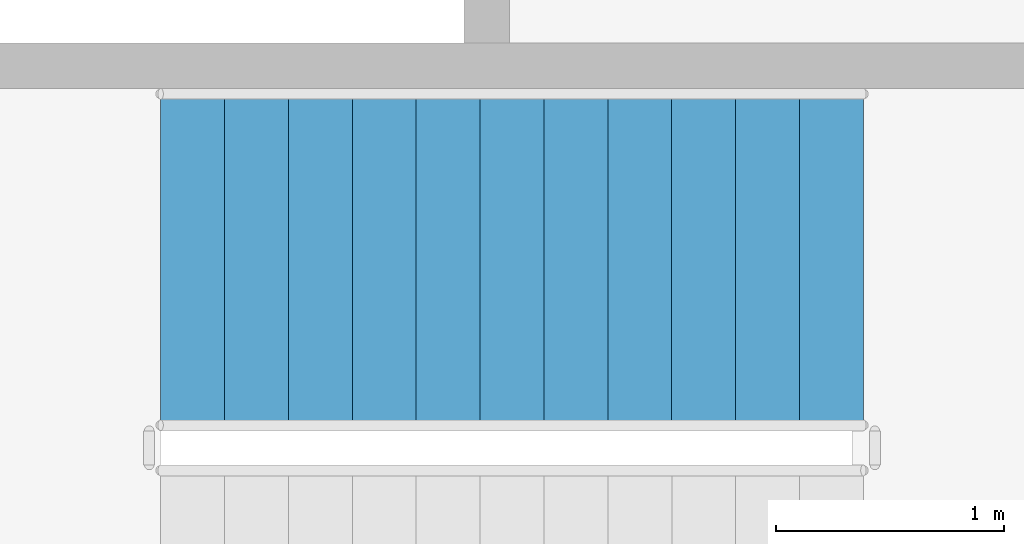
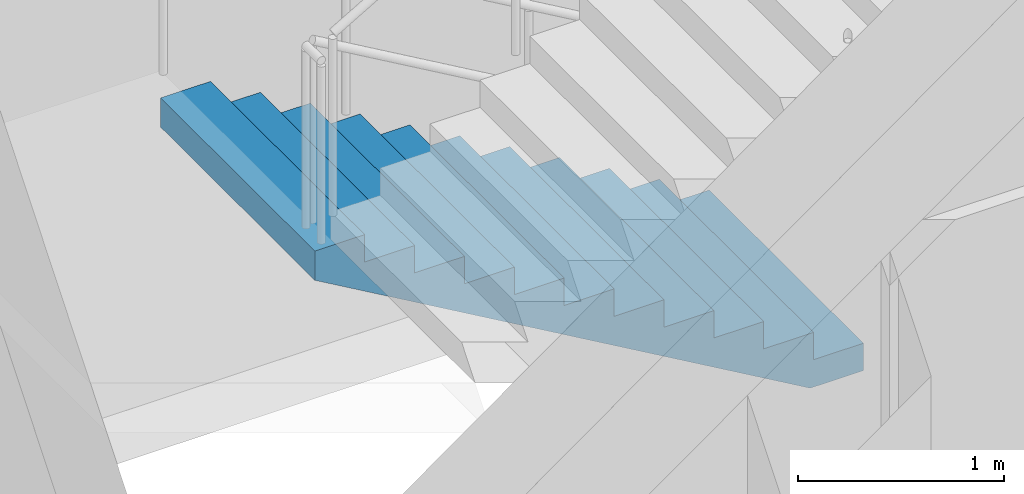
# One storey, part 36 of 42: 1 stair flight, 1 element without a shape of its own.
"""IFC4 building model written with IfcOpenShell, lengths in metres."""

from ifc_helpers import new_model, si_unit, direction, frame, origin, place, context, subcontext, project, spatial, triangles, material, type_object, element, aggregate, save


model = new_model("IFC4")

# Units and contexts
model_context = context("Model", 3, precision=1e-05, world=origin(), true_north=direction((0.0, 1.0)))
body_context = subcontext(model_context, "Body", "Model", "MODEL_VIEW")
ifc_project = project(units=[si_unit("LENGTHUNIT", "METRE"), si_unit("AREAUNIT", "SQUARE_METRE"), si_unit("VOLUMEUNIT", "CUBIC_METRE"), si_unit("PLANEANGLEUNIT", "RADIAN"), si_unit("MASSUNIT", "GRAM", prefix="KILO")], contexts=[model_context])

# Site, building, storey
site_placement = place(None, origin())
site = spatial("IfcSite", under=ifc_project, at=site_placement, CompositionType="ELEMENT")
building_placement = place(site_placement, origin())
building = spatial("IfcBuilding", under=site, at=building_placement, Name="Magnolia Steps Interchange", CompositionType="ELEMENT")
storey_placement = place(building_placement, frame((0.0, 0.0, 12.60009765625)))
storey = spatial("IfcBuildingStorey", under=building, at=storey_placement, Name="L03", CompositionType="ELEMENT", Elevation=12.60009765625)

# Stair, stair flight
ifc_material_1 = material(Name="Concrete C40", Category="concrete")
stair_type = type_object("IfcStairType", Name="Exit stair 1500", PredefinedType="HALF_TURN_STAIR", material=ifc_material_1)
stair_placement = place(storey_placement, origin())
stair = element("IfcStair", 1, at=stair_placement, inside=storey, type_object=stair_type, Name="L03 Stair 28", PredefinedType="HALF_TURN_STAIR")
ifc_material_2 = material(Name="Concrete C40", Category="concrete")
stair_flight_type = type_object("IfcStairFlightType", Name="Exit stair flight", PredefinedType="STRAIGHT", material=ifc_material_2)
stair_flight_placement = place(storey_placement, frame((69.14990234375, 99.25, 0.0), z_axis=(0.0, 0.0, 1.0), x_axis=(-1.0, 0.0, 0.0)))
stair_flight = element("IfcStairFlight", 2, at=stair_flight_placement, type_object=stair_flight_type, Name="Stair 28 flight 1", NumberOfRisers=12, NumberOfTreads=11, PredefinedType="STRAIGHT", RiserHeight=0.1625, TreadLength=0.28, context=body_context, shape_type="Tessellation", body=[
    triangles([(0.0, -0.75, 0.0), (0.298583984375, -0.75, 0.0), (3.080078125, -0.75, 1.6142578125), (3.080078125, -0.75, 1.78759765625), (2.800048828125, -0.75, 1.78759765625), (2.800048828125, -0.75, 1.625), (2.52001953125, -0.75, 1.625), (2.52001953125, -0.75, 1.46240234375), (2.239990234375, -0.75, 1.46240234375), (2.239990234375, -0.75, 1.300048828125), (1.9599609375, -0.75, 1.300048828125), (1.9599609375, -0.75, 1.137451171875), (1.679931640625, -0.75, 1.137451171875), (1.679931640625, -0.75, 0.97509765625), (1.39990234375, -0.75, 0.97509765625), (1.39990234375, -0.75, 0.8125), (1.1201171875, -0.75, 0.8125), (1.1201171875, -0.75, 0.64990234375), (0.840087890625, -0.75, 0.64990234375), (0.840087890625, -0.75, 0.487548828125), (0.56005859375, -0.75, 0.487548828125), (0.56005859375, -0.75, 0.324951171875), (0.280029296875, -0.75, 0.324951171875), (0.280029296875, -0.75, 0.16259765625), (0.0, -0.75, 0.16259765625), (0.0, 0.75, 0.0), (0.298583984375, 0.75, 0.0), (3.080078125, 0.75, 1.6142578125), (3.080078125, 0.75, 1.78759765625), (2.800048828125, 0.75, 1.78759765625), (2.800048828125, 0.75, 1.625), (2.52001953125, 0.75, 1.625), (2.52001953125, 0.75, 1.46240234375), (2.239990234375, 0.75, 1.46240234375), (2.239990234375, 0.75, 1.300048828125), (1.9599609375, 0.75, 1.300048828125), (1.9599609375, 0.75, 1.137451171875), (1.679931640625, 0.75, 1.137451171875), (1.679931640625, 0.75, 0.97509765625), (1.39990234375, 0.75, 0.97509765625), (1.39990234375, 0.75, 0.8125), (1.1201171875, 0.75, 0.8125), (1.1201171875, 0.75, 0.64990234375), (0.840087890625, 0.75, 0.64990234375), (0.840087890625, 0.75, 0.487548828125), (0.56005859375, 0.75, 0.487548828125), (0.56005859375, 0.75, 0.324951171875), (0.280029296875, 0.75, 0.324951171875), (0.280029296875, 0.75, 0.16259765625), (0.0, 0.75, 0.16259765625), (0.0, 0.0, 0.0), (0.0, 0.0, 0.0406494140625), (0.0, 0.0, 0.081298828125), (0.0, 0.0, 0.1219482421875), (0.0, 0.0, 0.16259765625), (0.0, -0.05, 0.0), (0.0, -0.05, 0.16259765625), (0.0, 0.05, 0.0), (0.0, 0.05, 0.16259765625), (0.046671549479166664, 0.0, 0.16259765625), (0.09334309895833333, 0.0, 0.16259765625), (0.1400146484375, 0.0, 0.16259765625), (0.18668619791666666, 0.0, 0.16259765625), (0.23335774739583334, 0.0, 0.16259765625), (0.280029296875, 0.0, 0.16259765625), (0.280029296875, -0.05, 0.16259765625), (0.280029296875, 0.05, 0.16259765625), (0.280029296875, 0.0, 0.20318603515625), (0.280029296875, 0.0, 0.2437744140625), (0.280029296875, 0.0, 0.28436279296875), (0.280029296875, 0.0, 0.324951171875), (0.280029296875, -0.05, 0.324951171875), (0.280029296875, 0.05, 0.324951171875), (0.3267008463541667, 0.0, 0.324951171875), (0.3733723958333333, 0.0, 0.324951171875), (0.4200439453125, 0.0, 0.324951171875), (0.46671549479166663, 0.0, 0.324951171875), (0.5133870442708334, 0.0, 0.324951171875), (0.56005859375, 0.0, 0.324951171875), (0.56005859375, -0.05, 0.324951171875), (0.56005859375, 0.05, 0.324951171875), (0.56005859375, 0.0, 0.3656005859375), (0.56005859375, 0.0, 0.40625), (0.56005859375, 0.0, 0.4468994140625), (0.56005859375, 0.0, 0.487548828125), (0.56005859375, -0.05, 0.487548828125), (0.56005859375, 0.05, 0.487548828125), (0.6067301432291666, 0.0, 0.487548828125), (0.6534016927083334, 0.0, 0.487548828125), (0.7000732421875, 0.0, 0.487548828125), (0.7467447916666666, 0.0, 0.487548828125), (0.7934163411458334, 0.0, 0.487548828125), (0.840087890625, 0.0, 0.487548828125), (0.840087890625, -0.05, 0.487548828125), (0.840087890625, 0.05, 0.487548828125), (0.840087890625, 0.0, 0.52813720703125), (0.840087890625, 0.0, 0.5687255859375), (0.840087890625, 0.0, 0.60931396484375), (0.840087890625, 0.0, 0.64990234375), (0.840087890625, -0.05, 0.64990234375), (0.840087890625, 0.05, 0.64990234375), (0.8867594401041666, 0.0, 0.64990234375), (0.9334309895833334, 0.0, 0.64990234375), (0.9801025390625, 0.0, 0.64990234375), (1.0267740885416667, 0.0, 0.64990234375), (1.0734456380208333, 0.0, 0.64990234375), (1.1201171875, 0.0, 0.64990234375), (1.1201171875, -0.05, 0.64990234375), (1.1201171875, 0.05, 0.64990234375), (1.1201171875, 0.0, 0.6905517578125), (1.1201171875, 0.0, 0.731201171875), (1.1201171875, 0.0, 0.7718505859375), (1.1201171875, 0.0, 0.8125), (1.1201171875, -0.05, 0.8125), (1.1201171875, 0.05, 0.8125), (1.1900634765625, 0.0, 0.8125), (1.260009765625, 0.0, 0.8125), (1.3299560546875, 0.0, 0.8125), (1.39990234375, 0.0, 0.8125), (1.39990234375, -0.05, 0.8125), (1.39990234375, 0.05, 0.8125), (1.39990234375, 0.0, 0.8531494140625), (1.39990234375, 0.0, 0.893798828125), (1.39990234375, 0.0, 0.9344482421875), (1.39990234375, 0.0, 0.97509765625), (1.39990234375, -0.05, 0.97509765625), (1.39990234375, 0.05, 0.97509765625), (1.4465738932291667, 0.0, 0.97509765625), (1.4932454427083333, 0.0, 0.97509765625), (1.5399169921875, 0.0, 0.97509765625), (1.5865885416666667, 0.0, 0.97509765625), (1.6332600911458333, 0.0, 0.97509765625), (1.679931640625, 0.0, 0.97509765625), (1.679931640625, -0.05, 0.97509765625), (1.679931640625, 0.05, 0.97509765625), (1.679931640625, 0.0, 1.01568603515625), (1.679931640625, 0.0, 1.0562744140625), (1.679931640625, 0.0, 1.09686279296875), (1.679931640625, 0.0, 1.137451171875), (1.679931640625, -0.05, 1.137451171875), (1.679931640625, 0.05, 1.137451171875), (1.7266031901041667, 0.0, 1.137451171875), (1.7732747395833333, 0.0, 1.137451171875), (1.8199462890625, 0.0, 1.137451171875), (1.8666178385416667, 0.0, 1.137451171875), (1.9132893880208333, 0.0, 1.137451171875), (1.9599609375, 0.0, 1.137451171875), (1.9599609375, -0.05, 1.137451171875), (1.9599609375, 0.05, 1.137451171875), (1.9599609375, 0.0, 1.1781005859375), (1.9599609375, 0.0, 1.21875), (1.9599609375, 0.0, 1.2593994140625), (1.9599609375, 0.0, 1.300048828125), (1.9599609375, -0.05, 1.300048828125), (1.9599609375, 0.05, 1.300048828125), (2.0066324869791665, 0.0, 1.300048828125), (2.0533040364583335, 0.0, 1.300048828125), (2.0999755859375, 0.0, 1.300048828125), (2.1466471354166665, 0.0, 1.300048828125), (2.1933186848958335, 0.0, 1.300048828125), (2.239990234375, 0.0, 1.300048828125), (2.239990234375, -0.05, 1.300048828125), (2.239990234375, 0.05, 1.300048828125), (2.239990234375, 0.0, 1.34063720703125), (2.239990234375, 0.0, 1.3812255859375), (2.239990234375, 0.0, 1.42181396484375), (2.239990234375, 0.0, 1.46240234375), (2.239990234375, -0.05, 1.46240234375), (2.239990234375, 0.05, 1.46240234375), (2.2866617838541665, 0.0, 1.46240234375), (2.3333333333333335, 0.0, 1.46240234375), (2.3800048828125, 0.0, 1.46240234375), (2.4266764322916665, 0.0, 1.46240234375), (2.4733479817708335, 0.0, 1.46240234375), (2.52001953125, 0.0, 1.46240234375), (2.52001953125, -0.05, 1.46240234375), (2.52001953125, 0.05, 1.46240234375), (2.52001953125, 0.0, 1.5030517578125), (2.52001953125, 0.0, 1.543701171875), (2.52001953125, 0.0, 1.5843505859375), (2.52001953125, 0.0, 1.625), (2.52001953125, -0.05, 1.625), (2.52001953125, 0.05, 1.625), (2.5666910807291665, 0.0, 1.625), (2.6133626302083335, 0.0, 1.625), (2.6600341796875, 0.0, 1.625), (2.7067057291666665, 0.0, 1.625), (2.7533772786458335, 0.0, 1.625), (2.800048828125, 0.0, 1.625), (2.800048828125, -0.05, 1.625), (2.800048828125, 0.05, 1.625), (2.800048828125, 0.0, 1.6656494140625), (2.800048828125, 0.0, 1.706298828125), (2.800048828125, 0.0, 1.7469482421875), (2.800048828125, 0.0, 1.78759765625), (2.800048828125, -0.05, 1.78759765625), (2.800048828125, 0.05, 1.78759765625), (2.8467203776041665, 0.0, 1.78759765625), (2.8933919270833335, 0.0, 1.78759765625), (2.9400634765625, 0.0, 1.78759765625), (2.9867350260416665, 0.0, 1.78759765625), (3.0334065755208335, 0.0, 1.78759765625), (3.080078125, 0.0, 1.78759765625), (3.080078125, -0.05, 1.78759765625), (3.080078125, 0.05, 1.78759765625), (3.080078125, 0.0, 1.7442626953125), (3.080078125, 0.0, 1.700927734375), (3.080078125, 0.0, 1.6575927734375), (3.080078125, 0.0, 1.6142578125), (3.080078125, -0.05, 1.6142578125), (3.080078125, 0.05, 1.6142578125), (3.0196108610733696, 0.0, 1.5791652513586956), (2.9591435971467392, 0.0, 1.5440726902173914), (2.898676333220109, 0.0, 1.508980129076087), (2.8382090692934785, 0.0, 1.4738875679347827), (2.7777418053668477, 0.0, 1.4387950067934783), (2.7172745414402173, 0.0, 1.4037024456521738), (2.656807277513587, 0.0, 1.3686098845108696), (2.5963400135869565, 0.0, 1.3335173233695652), (2.535872749660326, 0.0, 1.2984247622282608), (2.475405485733696, 0.0, 1.2633322010869565), (2.4149382218070654, 0.0, 1.228239639945652), (2.3544709578804346, 0.0, 1.193147078804348), (2.294003693953804, 0.0, 1.1580545176630435), (2.233536430027174, 0.0, 1.1229619565217392), (2.1730691661005435, 0.0, 1.0878693953804348), (2.112601902173913, 0.0, 1.0527768342391304), (2.0521346382472827, 0.0, 1.0176842730978262), (1.991667374320652, 0.0, 0.9825917119565217), (1.9312001103940217, 0.0, 0.9474991508152174), (1.8707328464673914, 0.0, 0.9124065896739131), (1.810265582540761, 0.0, 0.8773140285326086), (1.7497983186141304, 0.0, 0.8422214673913043), (1.6893310546875, 0.0, 0.80712890625), (1.6288637907608696, 0.0, 0.7720363451086957), (1.568396526834239, 0.0, 0.7369437839673914), (1.5079292629076086, 0.0, 0.7018512228260869), (1.4474619989809783, 0.0, 0.6667586616847826), (1.386994735054348, 0.0, 0.6316661005434783), (1.3265274711277173, 0.0, 0.5965735394021738), (1.266060207201087, 0.0, 0.5614809782608696), (1.2055929432744565, 0.0, 0.5263884171195652), (1.1451256793478262, 0.0, 0.491295855978261), (1.0846584154211956, 0.0, 0.45620329483695654), (1.0241911514945654, 0.0, 0.4211107336956521), (0.9637238875679346, 0.0, 0.3860181725543479), (0.9032566236413042, 0.0, 0.35092561141304346), (0.8427893597146738, 0.0, 0.315833050271739), (0.7823220957880435, 0.0, 0.2807404891304348), (0.7218548318614131, 0.0, 0.24564792798913038), (0.6613875679347827, 0.0, 0.21055536684782616), (0.6009203040081523, 0.0, 0.17546280570652173), (0.540453040081522, 0.0, 0.1403702445652173), (0.47998577615489113, 0.0, 0.10527768342391308), (0.41951851222826075, 0.0, 0.07018512228260865), (0.3590512483016304, 0.0, 0.035092561141304435), (0.298583984375, 0.0, 0.0), (0.298583984375, -0.05, 0.0), (0.298583984375, 0.05, 0.0), (0.24881998697916666, 0.0, 0.0), (0.19905598958333331, 0.0, 0.0), (0.1492919921875, 0.0, 0.0), (0.09952799479166666, 0.0, 0.0), (0.04976399739583334, 0.0, 0.0)], [[1, 2, 3], [3, 4, 5], [3, 5, 6], [3, 6, 7], [3, 7, 8], [8, 9, 10], [3, 8, 10], [10, 11, 12], [3, 10, 12], [12, 13, 14], [3, 12, 14], [14, 15, 16], [3, 14, 16], [16, 17, 18], [3, 16, 18], [18, 19, 20], [3, 18, 20], [20, 21, 22], [3, 20, 22], [1, 3, 22], [22, 23, 24], [1, 22, 24], [24, 25, 1], [26, 28, 27], [28, 30, 29], [28, 31, 30], [28, 32, 31], [28, 33, 32], [33, 35, 34], [28, 35, 33], [35, 37, 36], [28, 37, 35], [37, 39, 38], [28, 39, 37], [39, 41, 40], [28, 41, 39], [41, 43, 42], [28, 43, 41], [43, 45, 44], [28, 45, 43], [45, 47, 46], [28, 47, 45], [26, 47, 28], [47, 49, 48], [26, 49, 47], [49, 26, 50], [1, 25, 57], [1, 57, 56], [56, 52, 51], [56, 53, 52], [56, 57, 53], [57, 54, 53], [57, 55, 54], [26, 59, 50], [26, 58, 59], [58, 51, 52], [58, 52, 53], [58, 53, 59], [59, 53, 54], [59, 54, 55], [25, 24, 66], [25, 66, 57], [57, 60, 55], [57, 61, 60], [57, 62, 61], [57, 66, 62], [66, 63, 62], [66, 64, 63], [66, 65, 64], [50, 67, 49], [50, 59, 67], [59, 55, 60], [59, 60, 61], [59, 61, 62], [59, 62, 67], [67, 62, 63], [67, 63, 64], [67, 64, 65], [24, 23, 72], [24, 72, 66], [66, 68, 65], [66, 69, 68], [66, 72, 69], [72, 70, 69], [72, 71, 70], [49, 73, 48], [49, 67, 73], [67, 65, 68], [67, 68, 69], [67, 69, 73], [73, 69, 70], [73, 70, 71], [23, 22, 80], [23, 80, 72], [72, 74, 71], [72, 75, 74], [72, 76, 75], [72, 80, 76], [80, 77, 76], [80, 78, 77], [80, 79, 78], [48, 81, 47], [48, 73, 81], [73, 71, 74], [73, 74, 75], [73, 75, 76], [73, 76, 81], [81, 76, 77], [81, 77, 78], [81, 78, 79], [22, 21, 86], [22, 86, 80], [80, 82, 79], [80, 83, 82], [80, 86, 83], [86, 84, 83], [86, 85, 84], [47, 87, 46], [47, 81, 87], [81, 79, 82], [81, 82, 83], [81, 83, 87], [87, 83, 84], [87, 84, 85], [21, 20, 94], [21, 94, 86], [86, 88, 85], [86, 89, 88], [86, 90, 89], [86, 94, 90], [94, 91, 90], [94, 92, 91], [94, 93, 92], [46, 95, 45], [46, 87, 95], [87, 85, 88], [87, 88, 89], [87, 89, 90], [87, 90, 95], [95, 90, 91], [95, 91, 92], [95, 92, 93], [20, 19, 100], [20, 100, 94], [94, 96, 93], [94, 97, 96], [94, 100, 97], [100, 98, 97], [100, 99, 98], [45, 101, 44], [45, 95, 101], [95, 93, 96], [95, 96, 97], [95, 97, 101], [101, 97, 98], [101, 98, 99], [19, 18, 108], [19, 108, 100], [100, 102, 99], [100, 103, 102], [100, 104, 103], [100, 108, 104], [108, 105, 104], [108, 106, 105], [108, 107, 106], [44, 109, 43], [44, 101, 109], [101, 99, 102], [101, 102, 103], [101, 103, 104], [101, 104, 109], [109, 104, 105], [109, 105, 106], [109, 106, 107], [18, 17, 114], [18, 114, 108], [108, 110, 107], [108, 111, 110], [108, 114, 111], [114, 112, 111], [114, 113, 112], [43, 115, 42], [43, 109, 115], [109, 107, 110], [109, 110, 111], [109, 111, 115], [115, 111, 112], [115, 112, 113], [17, 16, 120], [17, 120, 114], [114, 116, 113], [114, 117, 116], [114, 120, 117], [120, 118, 117], [120, 119, 118], [42, 121, 41], [42, 115, 121], [115, 113, 116], [115, 116, 117], [115, 117, 121], [121, 117, 118], [121, 118, 119], [16, 15, 126], [16, 126, 120], [120, 122, 119], [120, 123, 122], [120, 126, 123], [126, 124, 123], [126, 125, 124], [41, 127, 40], [41, 121, 127], [121, 119, 122], [121, 122, 123], [121, 123, 127], [127, 123, 124], [127, 124, 125], [15, 14, 134], [15, 134, 126], [126, 128, 125], [126, 129, 128], [126, 130, 129], [126, 134, 130], [134, 131, 130], [134, 132, 131], [134, 133, 132], [40, 135, 39], [40, 127, 135], [127, 125, 128], [127, 128, 129], [127, 129, 130], [127, 130, 135], [135, 130, 131], [135, 131, 132], [135, 132, 133], [14, 13, 140], [14, 140, 134], [134, 136, 133], [134, 137, 136], [134, 140, 137], [140, 138, 137], [140, 139, 138], [39, 141, 38], [39, 135, 141], [135, 133, 136], [135, 136, 137], [135, 137, 141], [141, 137, 138], [141, 138, 139], [13, 12, 148], [13, 148, 140], [140, 142, 139], [140, 143, 142], [140, 144, 143], [140, 148, 144], [148, 145, 144], [148, 146, 145], [148, 147, 146], [38, 149, 37], [38, 141, 149], [141, 139, 142], [141, 142, 143], [141, 143, 144], [141, 144, 149], [149, 144, 145], [149, 145, 146], [149, 146, 147], [12, 11, 154], [12, 154, 148], [148, 150, 147], [148, 151, 150], [148, 154, 151], [154, 152, 151], [154, 153, 152], [37, 155, 36], [37, 149, 155], [149, 147, 150], [149, 150, 151], [149, 151, 155], [155, 151, 152], [155, 152, 153], [11, 10, 162], [11, 162, 154], [154, 156, 153], [154, 157, 156], [154, 158, 157], [154, 162, 158], [162, 159, 158], [162, 160, 159], [162, 161, 160], [36, 163, 35], [36, 155, 163], [155, 153, 156], [155, 156, 157], [155, 157, 158], [155, 158, 163], [163, 158, 159], [163, 159, 160], [163, 160, 161], [10, 9, 168], [10, 168, 162], [162, 164, 161], [162, 165, 164], [162, 168, 165], [168, 166, 165], [168, 167, 166], [35, 169, 34], [35, 163, 169], [163, 161, 164], [163, 164, 165], [163, 165, 169], [169, 165, 166], [169, 166, 167], [9, 8, 176], [9, 176, 168], [168, 170, 167], [168, 171, 170], [168, 172, 171], [168, 176, 172], [176, 173, 172], [176, 174, 173], [176, 175, 174], [34, 177, 33], [34, 169, 177], [169, 167, 170], [169, 170, 171], [169, 171, 172], [169, 172, 177], [177, 172, 173], [177, 173, 174], [177, 174, 175], [8, 7, 182], [8, 182, 176], [176, 178, 175], [176, 179, 178], [176, 182, 179], [182, 180, 179], [182, 181, 180], [33, 183, 32], [33, 177, 183], [177, 175, 178], [177, 178, 179], [177, 179, 183], [183, 179, 180], [183, 180, 181], [7, 6, 190], [7, 190, 182], [182, 184, 181], [182, 185, 184], [182, 186, 185], [182, 190, 186], [190, 187, 186], [190, 188, 187], [190, 189, 188], [32, 191, 31], [32, 183, 191], [183, 181, 184], [183, 184, 185], [183, 185, 186], [183, 186, 191], [191, 186, 187], [191, 187, 188], [191, 188, 189], [6, 5, 196], [6, 196, 190], [190, 192, 189], [190, 193, 192], [190, 196, 193], [196, 194, 193], [196, 195, 194], [31, 197, 30], [31, 191, 197], [191, 189, 192], [191, 192, 193], [191, 193, 197], [197, 193, 194], [197, 194, 195], [5, 4, 204], [5, 204, 196], [196, 198, 195], [196, 199, 198], [196, 200, 199], [196, 204, 200], [204, 201, 200], [204, 202, 201], [204, 203, 202], [30, 205, 29], [30, 197, 205], [197, 195, 198], [197, 198, 199], [197, 199, 200], [197, 200, 205], [205, 200, 201], [205, 201, 202], [205, 202, 203], [4, 3, 210], [4, 210, 204], [204, 206, 203], [204, 207, 206], [204, 210, 207], [210, 208, 207], [210, 209, 208], [29, 211, 28], [29, 205, 211], [205, 203, 206], [205, 206, 207], [205, 207, 211], [211, 207, 208], [211, 208, 209], [3, 2, 258], [3, 258, 210], [210, 212, 209], [210, 213, 212], [210, 214, 213], [210, 215, 214], [210, 216, 215], [210, 217, 216], [210, 218, 217], [210, 219, 218], [210, 220, 219], [210, 221, 220], [210, 222, 221], [210, 223, 222], [210, 224, 223], [210, 225, 224], [210, 226, 225], [210, 227, 226], [210, 228, 227], [210, 229, 228], [210, 230, 229], [210, 231, 230], [210, 232, 231], [210, 233, 232], [210, 234, 233], [210, 258, 234], [258, 235, 234], [258, 236, 235], [258, 237, 236], [258, 238, 237], [258, 239, 238], [258, 240, 239], [258, 241, 240], [258, 242, 241], [258, 243, 242], [258, 244, 243], [258, 245, 244], [258, 246, 245], [258, 247, 246], [258, 248, 247], [258, 249, 248], [258, 250, 249], [258, 251, 250], [258, 252, 251], [258, 253, 252], [258, 254, 253], [258, 255, 254], [258, 256, 255], [258, 257, 256], [28, 259, 27], [28, 211, 259], [211, 209, 212], [211, 212, 213], [211, 213, 214], [211, 214, 215], [211, 215, 216], [211, 216, 217], [211, 217, 218], [211, 218, 219], [211, 219, 220], [211, 220, 221], [211, 221, 222], [211, 222, 223], [211, 223, 224], [211, 224, 225], [211, 225, 226], [211, 226, 227], [211, 227, 228], [211, 228, 229], [211, 229, 230], [211, 230, 231], [211, 231, 232], [211, 232, 233], [211, 233, 234], [211, 234, 259], [259, 234, 235], [259, 235, 236], [259, 236, 237], [259, 237, 238], [259, 238, 239], [259, 239, 240], [259, 240, 241], [259, 241, 242], [259, 242, 243], [259, 243, 244], [259, 244, 245], [259, 245, 246], [259, 246, 247], [259, 247, 248], [259, 248, 249], [259, 249, 250], [259, 250, 251], [259, 251, 252], [259, 252, 253], [259, 253, 254], [259, 254, 255], [259, 255, 256], [259, 256, 257], [2, 1, 56], [2, 56, 258], [258, 260, 257], [258, 261, 260], [258, 262, 261], [258, 56, 262], [56, 263, 262], [56, 264, 263], [56, 51, 264], [27, 58, 26], [27, 259, 58], [259, 257, 260], [259, 260, 261], [259, 261, 262], [259, 262, 58], [58, 262, 263], [58, 263, 264], [58, 264, 51]], closed=True),
])
aggregate(stair, [stair_flight])

save(model, "model.ifc")
